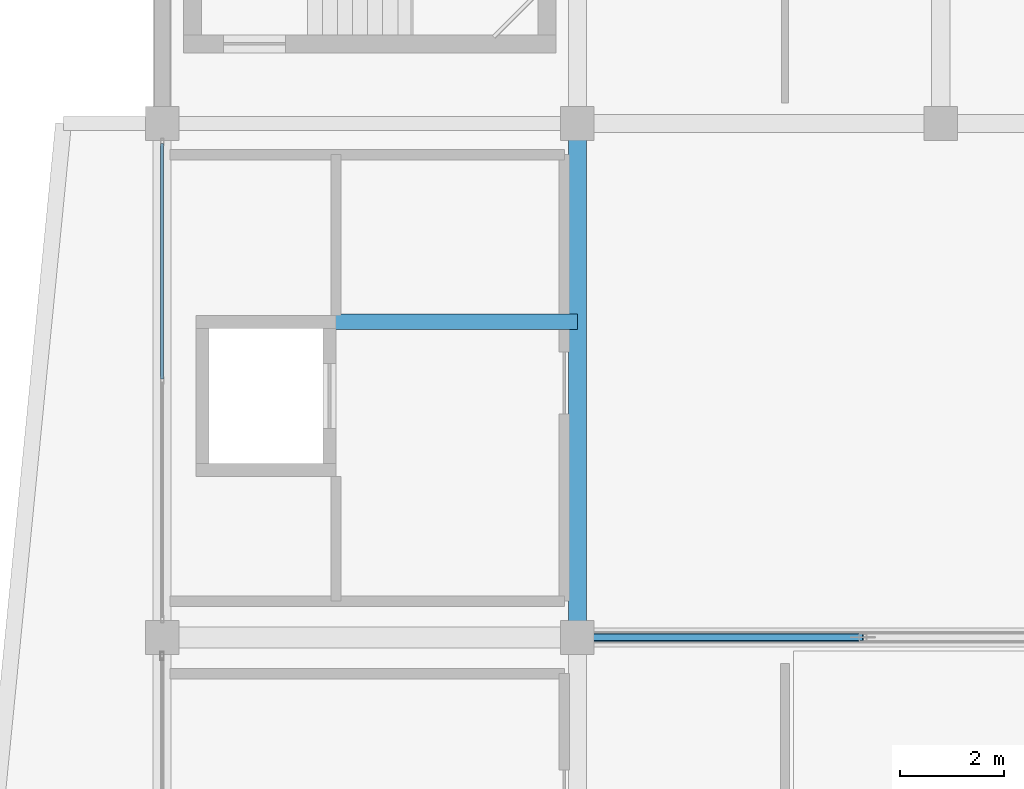
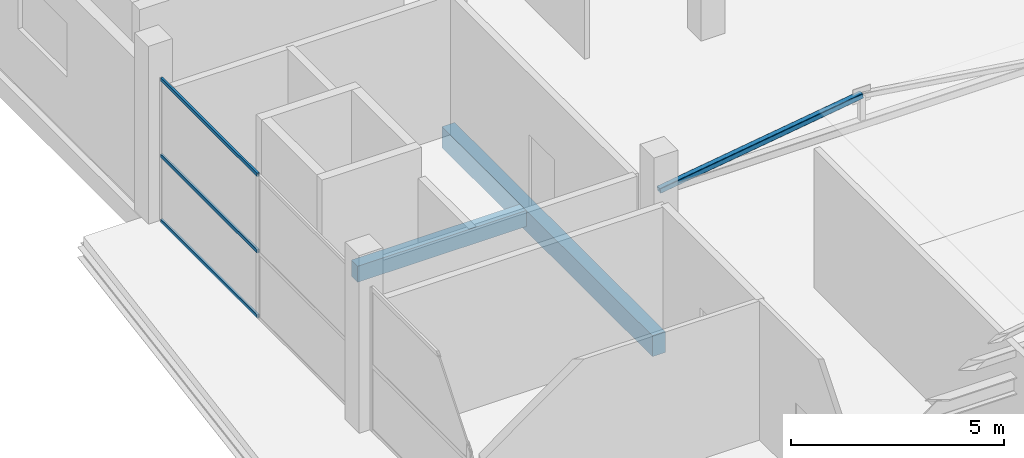
# One storey, part 26 of 66: 4 members, 2 beams, 1 element without a shape of its own.
"""IFC4 building model written with IfcOpenShell, lengths in metres."""

from ifc_helpers import new_model, si_unit, direction, frame, origin, origin_2d, place, context, subcontext, project, spatial, rectangle, hollow_rectangle, extrude, material, layer, layer_set, material_profile, profile_set, type_object, element, aggregate, save


model = new_model("IFC4")

# Units and contexts
model_context = context("Model", 3, precision=1e-05, world=origin(), true_north=direction((0.0, 1.0)))
body_context = subcontext(model_context, "Body", "Model", "MODEL_VIEW")
ifc_project = project(units=[si_unit("LENGTHUNIT", "METRE"), si_unit("AREAUNIT", "SQUARE_METRE"), si_unit("VOLUMEUNIT", "CUBIC_METRE"), si_unit("PLANEANGLEUNIT", "RADIAN"), si_unit("MASSUNIT", "GRAM", prefix="KILO")], contexts=[model_context])

# Site, building, storey
site_placement = place(None, origin())
site = spatial("IfcSite", under=ifc_project, at=site_placement, CompositionType="ELEMENT")
building_placement = place(site_placement, origin())
building = spatial("IfcBuilding", under=site, at=building_placement, Name="Sillaruma Civic Art Gallery", CompositionType="ELEMENT")
storey_placement = place(building_placement, frame((0.0, 0.0, 57.1201171875)))
storey = spatial("IfcBuildingStorey", under=building, at=storey_placement, Name="L11", CompositionType="ELEMENT", Elevation=57.1201171875)

# Beams
ifc_material_1 = material(Name="Concrete H35 (35 MPa)", Category="concrete")
ifc_material_profile_1 = material_profile(ifc_material_1, rectangle(XDim=0.35009765625, YDim=0.60009765625, at=origin_2d()), Name="RCB350x600")
ifc_profile_set_1 = profile_set([ifc_material_profile_1], Name="Concrete H35 (35 MPa)")
beam_type_1 = type_object("IfcBeamType", Name="BM-BEAM-RCB350x600", PredefinedType="BEAM", material=ifc_profile_set_1)
beam_1_placement = place(storey_placement, frame((70.0, 69.300048828125, -0.550048828125), z_axis=(0.0, 1.0, 0.0), x_axis=(-1.0, 0.0, 0.0)))
element("IfcBeam", 1, at=beam_1_placement, inside=storey, type_object=beam_type_1, Name="Beam BM-06 (L10:G:8-9)", PredefinedType="BEAM", context=body_context, shape_type="SweptSolid", body=[
    extrude(rectangle(XDim=0.35009765625, YDim=0.60009765625, at=origin_2d()), origin(), (0.0, 0.0, 1.0), 9.89990234375),
])
ifc_material_profile_2 = material_profile(ifc_material_1, rectangle(XDim=0.300048828125, YDim=0.4599609375, at=origin_2d()), Name="RCB300x460")
ifc_profile_set_2 = profile_set([ifc_material_profile_2], Name="Concrete H35 (35 MPa)")
beam_type_2 = type_object("IfcBeamType", Name="BM-LINTEL-RCB300x460", PredefinedType="LINTEL", material=ifc_profile_set_2)
beam_2_placement = place(storey_placement, frame((65.25, 75.3798828125, -0.480224609375), z_axis=(1.0, 0.0, 0.0), x_axis=(0.0, 1.0, 0.0)))
element("IfcBeam", 2, at=beam_2_placement, inside=storey, type_object=beam_type_2, Name="Core Portal Coupling Lintel BL-01 (L10:FFL)", PredefinedType="LINTEL", context=body_context, shape_type="SweptSolid", body=[
    extrude(rectangle(XDim=0.300048828125, YDim=0.4599609375, at=origin_2d()), origin(), (0.0, 0.0, 1.0), 4.75),
])

# Member
ifc_material_2 = material(Name="Structural Steel ASTM A500 Gr.C", Category="steel")
ifc_material_profile_3 = material_profile(ifc_material_2, hollow_rectangle(XDim=0.14990234375, YDim=0.14990234375, WallThickness=0.010009765625, InnerFilletRadius=0.010009765625, OuterFilletRadius=0.02001953125, at=origin_2d()), Name="HSS150x150x10")
ifc_profile_set_3 = profile_set([ifc_material_profile_3], Name="Structural Steel ASTM A500 Gr.C")
member_type_1 = type_object("IfcMemberType", Name="MEM-BRACE-HSS150x150x10", PredefinedType="BRACE", material=ifc_profile_set_3)
member_1_placement = place(storey_placement, frame((70.0, 69.300048828125, 3.8798828125), z_axis=(0.989377720719, 0.0, 0.145367553959), x_axis=(0.0, 1.0, 0.0)))
element("IfcMember", 3, at=member_1_placement, inside=storey, type_object=member_type_1, Name="Warren Truss Diagonal TR-L11-3-D1", PredefinedType="BRACE", context=body_context, shape_type="SweptSolid", body=[
    extrude(hollow_rectangle(XDim=0.14990234375, YDim=0.14990234375, WallThickness=0.010009765625, InnerFilletRadius=0.010009765625, OuterFilletRadius=0.02001953125, at=origin_2d()), origin(), (0.0, 0.0, 1.0), 5.55908203125),
])

# Curtain wall, members
ifc_material_3 = material(Name="Thermally Broken Extruded Aluminium 6063-T6", Category="aluminium")
ifc_layer = layer(ifc_material_3, 0.139892578125, Name="Thermally Broken Extruded Aluminium 6063-T6")
ifc_layer_set = layer_set([ifc_layer], Name="Thermally Broken Extruded Aluminium 6063-T6")
curtain_wall_type = type_object("IfcCurtainWallType", Name="CW-UNI-71", PredefinedType="NOTDEFINED", material=ifc_layer_set)
curtain_wall_placement = place(storey_placement, origin())
curtain_wall = element("IfcCurtainWall", 4, at=curtain_wall_placement, inside=storey, type_object=curtain_wall_type, Name="Unitised Curtain Wall CW-71 (CW-L11-WBW-6)", PredefinedType="NOTDEFINED")
ifc_material_profile_4 = material_profile(ifc_material_3, hollow_rectangle(XDim=0.06005859375, YDim=0.10009765625, WallThickness=0.003173828125, at=origin_2d()), Name="CWT60x100")
ifc_profile_set_4 = profile_set([ifc_material_profile_4], Name="Thermally Broken Extruded Aluminium 6063-T6")
member_type_2 = type_object("IfcMemberType", Name="MEM-TRN-CWT60x100", PredefinedType="USERDEFINED", material=ifc_profile_set_4)
member_2_placement = place(storey_placement, frame((62.0, 74.280029296875, 0.02978515625), z_axis=(0.0, 1.0, 0.0), x_axis=(-1.0, 0.0, 0.0)))
member_2 = element("IfcMember", 5, at=member_2_placement, type_object=member_type_2, Name="CW-71 transom 2.1", ObjectType="TRANSOM", PredefinedType="USERDEFINED", context=body_context, shape_type="SweptSolid", body=[
    extrude(hollow_rectangle(XDim=0.06005859375, YDim=0.10009765625, WallThickness=0.003173828125, at=origin_2d()), origin(), (0.0, 0.0, 1.0), 4.534912109375),
])
member_3_placement = place(storey_placement, frame((62.0, 74.280029296875, 1.89501953125), z_axis=(0.0, 1.0, 0.0), x_axis=(-1.0, 0.0, 0.0)))
member_3 = element("IfcMember", 6, at=member_3_placement, type_object=member_type_2, Name="CW-71 transom 2.2", ObjectType="TRANSOM", PredefinedType="USERDEFINED", context=body_context, shape_type="SweptSolid", body=[
    extrude(hollow_rectangle(XDim=0.06005859375, YDim=0.10009765625, WallThickness=0.003173828125, at=origin_2d()), origin(), (0.0, 0.0, 1.0), 4.534912109375),
])
member_4_placement = place(storey_placement, frame((62.0, 74.280029296875, 4.08984375), z_axis=(0.0, 1.0, 0.0), x_axis=(-1.0, 0.0, 0.0)))
member_4 = element("IfcMember", 7, at=member_4_placement, type_object=member_type_2, Name="CW-71 transom 2.3", ObjectType="TRANSOM", PredefinedType="USERDEFINED", context=body_context, shape_type="SweptSolid", body=[
    extrude(hollow_rectangle(XDim=0.06005859375, YDim=0.10009765625, WallThickness=0.003173828125, at=origin_2d()), origin(), (0.0, 0.0, 1.0), 4.534912109375),
])
aggregate(curtain_wall, [member_2, member_3, member_4])

save(model, "model.ifc")
